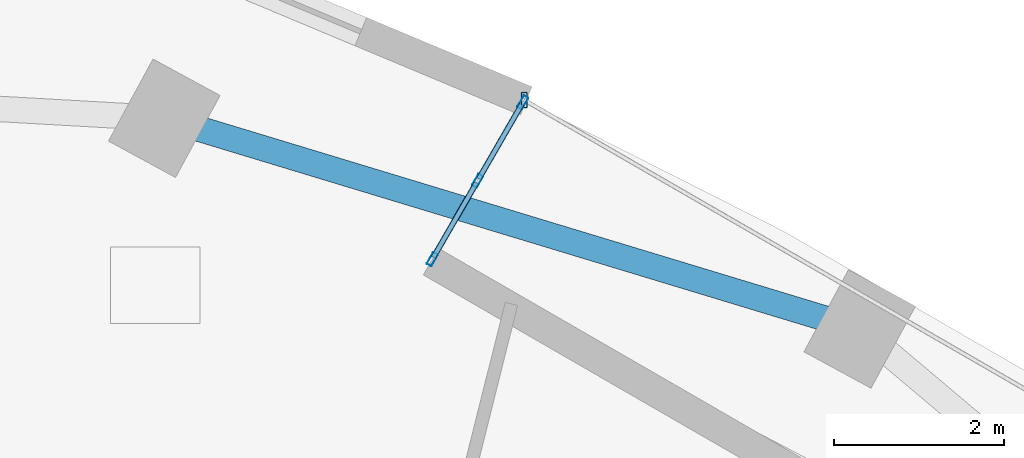
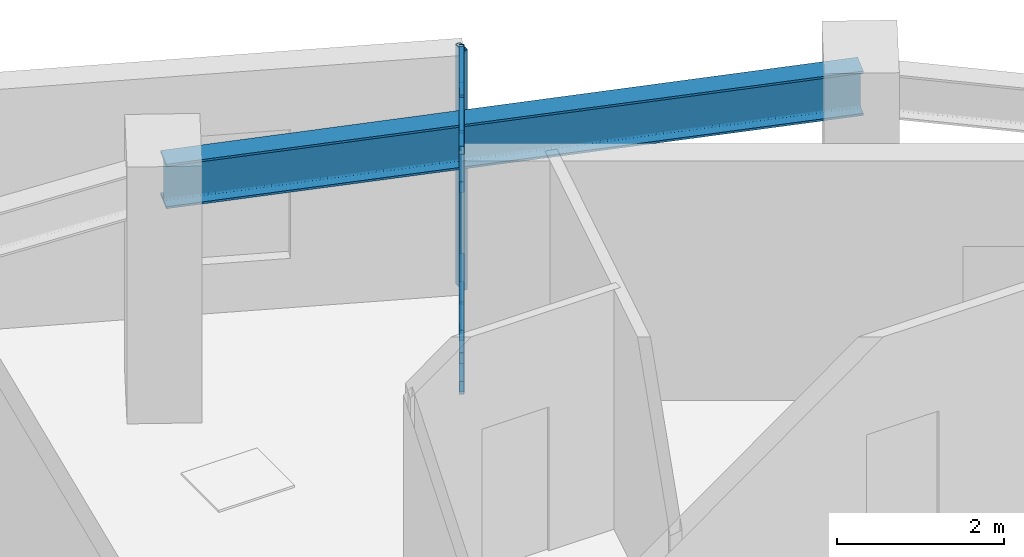
# One storey, part 4 of 14: 12 members, 1 beam, 1 element without a shape of its own.
"""IFC4 building model written with IfcOpenShell, lengths in metres."""

from ifc_helpers import new_model, si_unit, direction, frame, origin, origin_2d, place, context, subcontext, project, spatial, hollow_rectangle, i_section, extrude, material, layer, layer_set, material_profile, profile_set, type_object, element, aggregate, save


model = new_model("IFC4")

# Units and contexts
model_context = context("Model", 3, precision=1e-05, world=origin(), true_north=direction((0.0, 1.0)))
body_context = subcontext(model_context, "Body", "Model", "MODEL_VIEW")
ifc_project = project(units=[si_unit("LENGTHUNIT", "METRE"), si_unit("AREAUNIT", "SQUARE_METRE"), si_unit("VOLUMEUNIT", "CUBIC_METRE"), si_unit("PLANEANGLEUNIT", "RADIAN"), si_unit("MASSUNIT", "GRAM", prefix="KILO")], contexts=[model_context])

# Site, building, storey
site_placement = place(None, origin())
site = spatial("IfcSite", under=ifc_project, at=site_placement, CompositionType="ELEMENT")
building_placement = place(site_placement, origin())
building = spatial("IfcBuilding", under=site, at=building_placement, Name="Ndelora Gate Hotel", CompositionType="ELEMENT")
storey_placement = place(building_placement, frame((0.0, 0.0, 127.25)))
storey = spatial("IfcBuildingStorey", under=building, at=storey_placement, Name="L31", CompositionType="ELEMENT", Elevation=127.25)

# Beam
ifc_material_1 = material(Name="Steel S355", Category="steel")
ifc_material_profile_1 = material_profile(ifc_material_1, i_section(OverallWidth=0.300048828125, OverallDepth=0.64990234375, WebThickness=0.01611328125, FlangeThickness=0.031005859375, FilletRadius=0.027099609375, at=origin_2d()), Name="HEB 650")
ifc_profile_set_1 = profile_set([ifc_material_profile_1], Name="Steel S355")
beam_type = type_object("IfcBeamType", Name="BM-RING-650", PredefinedType="SPANDREL", material=ifc_profile_set_1)
beam_placement = place(storey_placement, frame((7.759033203125, 14.290283203125, 3.175048828125), z_axis=(-0.957030396662, 0.289987620192, 0.0), x_axis=(-0.289987620192, -0.957030396662, 0.0)))
element("IfcBeam", 1, at=beam_placement, inside=storey, type_object=beam_type, Name="L31 Perimeter Spandrel Girder 11", PredefinedType="SPANDREL", context=body_context, shape_type="SweptSolid", body=[
    extrude(i_section(OverallWidth=0.300048828125, OverallDepth=0.64990234375, WebThickness=0.01611328125, FlangeThickness=0.031005859375, FilletRadius=0.027099609375, at=origin_2d()), origin(), (0.0, 0.0, 1.0), 8.56640625),
])

# Curtain wall, members
ifc_material_2 = material(Name="Bronze Anodised Unitised Aluminium and Low-E Glass", Category="aluminium")
ifc_layer = layer(ifc_material_2, 0.199951171875)
ifc_layer_set = layer_set([ifc_layer], Name="Bronze Anodised Unitised Aluminium and Low-E Glass")
curtain_wall_type = type_object("IfcCurtainWallType", Name="CW-SYS-3", PredefinedType="NOTDEFINED", material=ifc_layer_set)
curtain_wall_placement = place(storey_placement, origin())
curtain_wall = element("IfcCurtainWall", 2, at=curtain_wall_placement, inside=storey, type_object=curtain_wall_type, Name="L31 Sky-Garden Loggia Side Curtain Wall CW3-2", PredefinedType="NOTDEFINED")
ifc_material_3 = material(Name="Bronze Anodised Aluminium 6063-T6", Category="aluminium")
ifc_material_profile_2 = material_profile(ifc_material_3, hollow_rectangle(XDim=0.06494140625, YDim=0.159912109375, WallThickness=0.00390625, InnerFilletRadius=0.00390625, OuterFilletRadius=0.008056640625, at=origin_2d()), Name="ALU 160x65x4")
ifc_profile_set_2 = profile_set([ifc_material_profile_2], Name="Bronze Anodised Aluminium 6063-T6")
member_type_1 = type_object("IfcMemberType", Name="MB-CW-MUL150", PredefinedType="MULLION", material=ifc_profile_set_2)
member_1_placement = place(storey_placement, frame((3.788330078125, 16.96142578125, -0.00390625), z_axis=(0.0, 0.0, 1.0), x_axis=(0.866019052627, -0.500011000366, 0.0)))
member_1 = element("IfcMember", 3, at=member_1_placement, type_object=member_type_1, Name="CW3 mullion 1", PredefinedType="MULLION", context=body_context, shape_type="SweptSolid", body=[
    extrude(hollow_rectangle(XDim=0.06494140625, YDim=0.159912109375, WallThickness=0.00390625, InnerFilletRadius=0.00390625, OuterFilletRadius=0.008056640625, at=origin_2d()), origin(), (0.0, 0.0, 1.0), 3.5078125),
])
member_2_placement = place(storey_placement, frame((3.25439453125, 16.036865234375, -0.00390625), z_axis=(0.0, 0.0, 1.0), x_axis=(0.866019052627, -0.500011000366, 0.0)))
member_2 = element("IfcMember", 4, at=member_2_placement, type_object=member_type_1, Name="CW3 mullion 2", PredefinedType="MULLION", context=body_context, shape_type="SweptSolid", body=[
    extrude(hollow_rectangle(XDim=0.06494140625, YDim=0.159912109375, WallThickness=0.00390625, InnerFilletRadius=0.00390625, OuterFilletRadius=0.008056640625, at=origin_2d()), origin(), (0.0, 0.0, 1.0), 3.5078125),
])
member_3_placement = place(storey_placement, frame((2.720703125, 15.112548828125, -0.00390625), z_axis=(0.0, 0.0, 1.0), x_axis=(0.866019052627, -0.500011000366, 0.0)))
member_3 = element("IfcMember", 5, at=member_3_placement, type_object=member_type_1, Name="CW3 mullion 3", PredefinedType="MULLION", context=body_context, shape_type="SweptSolid", body=[
    extrude(hollow_rectangle(XDim=0.06494140625, YDim=0.159912109375, WallThickness=0.00390625, InnerFilletRadius=0.00390625, OuterFilletRadius=0.008056640625, at=origin_2d()), origin(), (0.0, 0.0, 1.0), 3.5078125),
])
ifc_material_profile_3 = material_profile(ifc_material_3, hollow_rectangle(XDim=0.070068359375, YDim=0.179931640625, WallThickness=0.0048828125, InnerFilletRadius=0.0048828125, OuterFilletRadius=0.010009765625, at=origin_2d()), Name="ALU 180x70x5")
ifc_profile_set_3 = profile_set([ifc_material_profile_3], Name="Bronze Anodised Aluminium 6063-T6")
member_type_2 = type_object("IfcMemberType", Name="MB-CW-MUL180", PredefinedType="MULLION", material=ifc_profile_set_3)
member_4_placement = place(storey_placement, frame((3.804443359375, 16.989501953125, 0.0), z_axis=(0.0, 0.0, 1.0), x_axis=(1.0, 0.0, 0.0)))
member_4 = element("IfcMember", 6, at=member_4_placement, type_object=member_type_2, Name="L31 Sky-Garden Loggia Corner Mullion Post 2", PredefinedType="MULLION", context=body_context, shape_type="SweptSolid", body=[
    extrude(hollow_rectangle(XDim=0.070068359375, YDim=0.179931640625, WallThickness=0.0048828125, InnerFilletRadius=0.0048828125, OuterFilletRadius=0.010009765625, at=origin_2d()), origin(), (0.0, 0.0, 1.0), 3.5),
])
ifc_material_profile_4 = material_profile(ifc_material_3, hollow_rectangle(XDim=0.06494140625, YDim=0.159912109375, WallThickness=0.00390625, InnerFilletRadius=0.00390625, OuterFilletRadius=0.008056640625, at=origin_2d()), Name="ALU 160x65x4")
ifc_profile_set_4 = profile_set([ifc_material_profile_4], Name="Bronze Anodised Aluminium 6063-T6")
member_type_3 = type_object("IfcMemberType", Name="MB-CW-TRN150", PredefinedType="USERDEFINED", material=ifc_profile_set_4)
member_5_placement = place(storey_placement, frame((3.77490234375, 16.9384765625, 0.032470703125), z_axis=(-0.499840506035, -0.866117468088, 0.0), x_axis=(0.866117468088, -0.499840506035, 0.0)))
member_5 = element("IfcMember", 7, at=member_5_placement, type_object=member_type_3, Name="CW3 transom 1.1", ObjectType="TRANSOM", PredefinedType="USERDEFINED", context=body_context, shape_type="SweptSolid", body=[
    extrude(hollow_rectangle(XDim=0.06494140625, YDim=0.159912109375, WallThickness=0.00390625, InnerFilletRadius=0.00390625, OuterFilletRadius=0.008056640625, at=origin_2d()), origin(), (0.0, 0.0, 1.0), 1.014404296875),
])
member_6_placement = place(storey_placement, frame((3.77490234375, 16.9384765625, 0.449951171875), z_axis=(-0.499840506035, -0.866117468088, 0.0), x_axis=(0.866117468088, -0.499840506035, 0.0)))
member_6 = element("IfcMember", 8, at=member_6_placement, type_object=member_type_3, Name="CW3 transom 1.2", ObjectType="TRANSOM", PredefinedType="USERDEFINED", context=body_context, shape_type="SweptSolid", body=[
    extrude(hollow_rectangle(XDim=0.06494140625, YDim=0.159912109375, WallThickness=0.00390625, InnerFilletRadius=0.00390625, OuterFilletRadius=0.008056640625, at=origin_2d()), origin(), (0.0, 0.0, 1.0), 1.014404296875),
])
member_7_placement = place(storey_placement, frame((3.77490234375, 16.9384765625, 2.949951171875), z_axis=(-0.499840506035, -0.866117468088, 0.0), x_axis=(0.866117468088, -0.499840506035, 0.0)))
member_7 = element("IfcMember", 9, at=member_7_placement, type_object=member_type_3, Name="CW3 transom 1.3", ObjectType="TRANSOM", PredefinedType="USERDEFINED", context=body_context, shape_type="SweptSolid", body=[
    extrude(hollow_rectangle(XDim=0.06494140625, YDim=0.159912109375, WallThickness=0.00390625, InnerFilletRadius=0.00390625, OuterFilletRadius=0.008056640625, at=origin_2d()), origin(), (0.0, 0.0, 1.0), 1.014404296875),
])
member_8_placement = place(storey_placement, frame((3.77490234375, 16.9384765625, 3.467529296875), z_axis=(-0.499840506035, -0.866117468088, 0.0), x_axis=(0.866117468088, -0.499840506035, 0.0)))
member_8 = element("IfcMember", 10, at=member_8_placement, type_object=member_type_3, Name="CW3 transom 1.4", ObjectType="TRANSOM", PredefinedType="USERDEFINED", context=body_context, shape_type="SweptSolid", body=[
    extrude(hollow_rectangle(XDim=0.06494140625, YDim=0.159912109375, WallThickness=0.00390625, InnerFilletRadius=0.00390625, OuterFilletRadius=0.008056640625, at=origin_2d()), origin(), (0.0, 0.0, 1.0), 1.014404296875),
])
member_9_placement = place(storey_placement, frame((3.2412109375, 16.013916015625, 0.032470703125), z_axis=(-0.50012521828, -0.865953096906, 0.0), x_axis=(0.865953096906, -0.50012521828, 0.0)))
member_9 = element("IfcMember", 11, at=member_9_placement, type_object=member_type_3, Name="CW3 transom 2.1", ObjectType="TRANSOM", PredefinedType="USERDEFINED", context=body_context, shape_type="SweptSolid", body=[
    extrude(hollow_rectangle(XDim=0.06494140625, YDim=0.159912109375, WallThickness=0.00390625, InnerFilletRadius=0.00390625, OuterFilletRadius=0.008056640625, at=origin_2d()), origin(), (0.0, 0.0, 1.0), 1.014404296875),
])
member_10_placement = place(storey_placement, frame((3.2412109375, 16.013916015625, 0.449951171875), z_axis=(-0.50012521828, -0.865953096906, 0.0), x_axis=(0.865953096906, -0.50012521828, 0.0)))
member_10 = element("IfcMember", 12, at=member_10_placement, type_object=member_type_3, Name="CW3 transom 2.2", ObjectType="TRANSOM", PredefinedType="USERDEFINED", context=body_context, shape_type="SweptSolid", body=[
    extrude(hollow_rectangle(XDim=0.06494140625, YDim=0.159912109375, WallThickness=0.00390625, InnerFilletRadius=0.00390625, OuterFilletRadius=0.008056640625, at=origin_2d()), origin(), (0.0, 0.0, 1.0), 1.014404296875),
])
member_11_placement = place(storey_placement, frame((3.2412109375, 16.013916015625, 2.949951171875), z_axis=(-0.50012521828, -0.865953096906, 0.0), x_axis=(0.865953096906, -0.50012521828, 0.0)))
member_11 = element("IfcMember", 13, at=member_11_placement, type_object=member_type_3, Name="CW3 transom 2.3", ObjectType="TRANSOM", PredefinedType="USERDEFINED", context=body_context, shape_type="SweptSolid", body=[
    extrude(hollow_rectangle(XDim=0.06494140625, YDim=0.159912109375, WallThickness=0.00390625, InnerFilletRadius=0.00390625, OuterFilletRadius=0.008056640625, at=origin_2d()), origin(), (0.0, 0.0, 1.0), 1.014404296875),
])
member_12_placement = place(storey_placement, frame((3.2412109375, 16.013916015625, 3.467529296875), z_axis=(-0.50012521828, -0.865953096906, 0.0), x_axis=(0.865953096906, -0.50012521828, 0.0)))
member_12 = element("IfcMember", 14, at=member_12_placement, type_object=member_type_3, Name="CW3 transom 2.4", ObjectType="TRANSOM", PredefinedType="USERDEFINED", context=body_context, shape_type="SweptSolid", body=[
    extrude(hollow_rectangle(XDim=0.06494140625, YDim=0.159912109375, WallThickness=0.00390625, InnerFilletRadius=0.00390625, OuterFilletRadius=0.008056640625, at=origin_2d()), origin(), (0.0, 0.0, 1.0), 1.014404296875),
])
aggregate(curtain_wall, [member_1, member_2, member_3, member_5, member_6, member_7, member_8, member_9, member_10, member_11, member_12, member_4])

save(model, "model.ifc")
